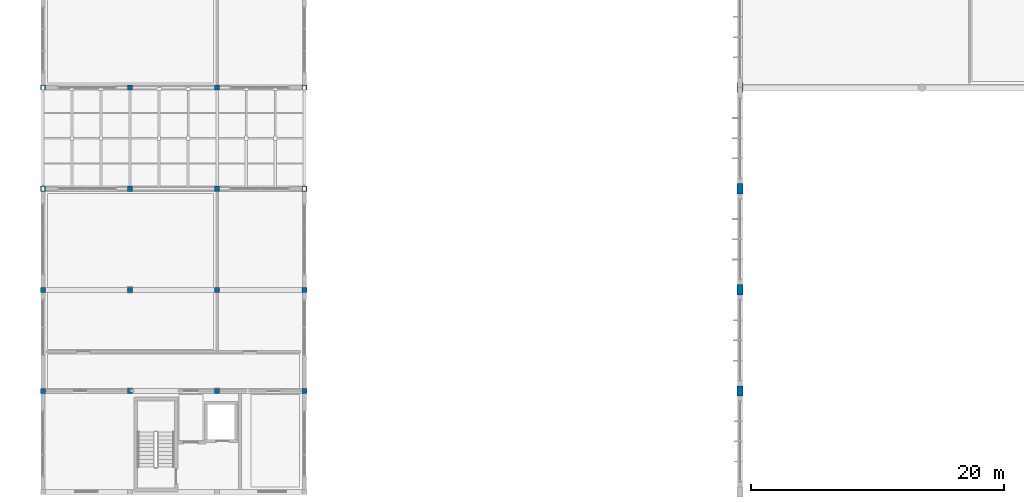
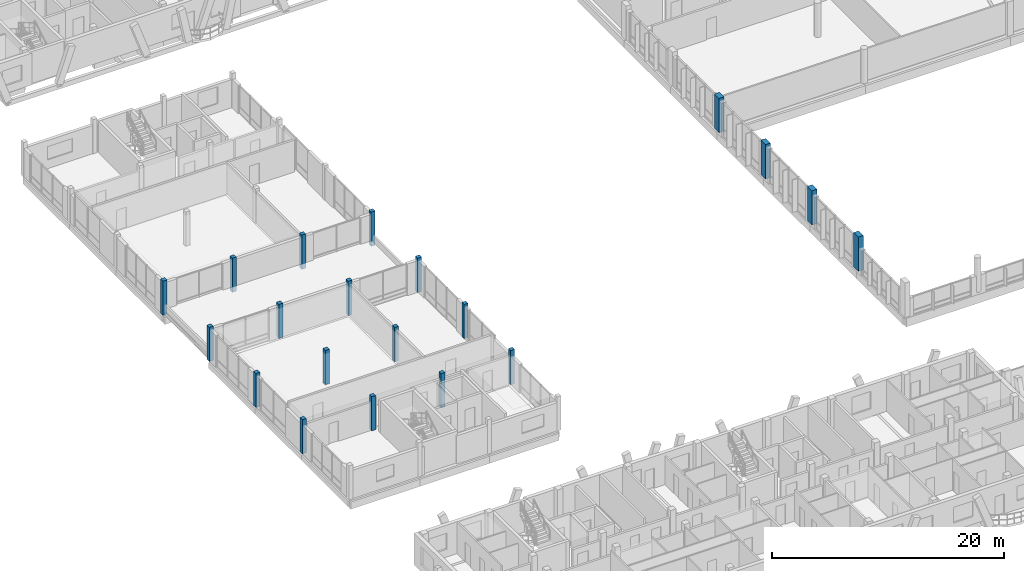
# One storey, part 3 of 189: 20 columns.
"""IFC4 building model written with IfcOpenShell, lengths in metres."""

from ifc_helpers import new_model, si_unit, direction, frame, origin, origin_2d, place, context, subcontext, project, spatial, rectangle, extrude, material, material_profile, profile_set, type_object, element, save


model = new_model("IFC4")

# Units and contexts
model_context = context("Model", 3, precision=1e-05, world=origin(), true_north=direction((0.0, 1.0)))
body_context = subcontext(model_context, "Body", "Model", "MODEL_VIEW")
ifc_project = project(units=[si_unit("LENGTHUNIT", "METRE"), si_unit("AREAUNIT", "SQUARE_METRE"), si_unit("VOLUMEUNIT", "CUBIC_METRE"), si_unit("PLANEANGLEUNIT", "RADIAN"), si_unit("MASSUNIT", "GRAM", prefix="KILO")], contexts=[model_context])

# Site, building, storey
site_placement = place(None, origin())
site = spatial("IfcSite", under=ifc_project, at=site_placement, CompositionType="ELEMENT")
building_placement = place(site_placement, origin())
building = spatial("IfcBuilding", under=site, at=building_placement, Name="Zavelmont Quarter", CompositionType="ELEMENT")
storey_placement = place(building_placement, frame((0.0, 0.0, 4.39990234375)))
storey = spatial("IfcBuildingStorey", under=building, at=storey_placement, Name="L01", CompositionType="ELEMENT", Elevation=4.39990234375)

# Columns
ifc_material_1 = material(Name="Concrete C35/45", Category="concrete")
ifc_material_profile_1 = material_profile(ifc_material_1, rectangle(XDim=0.39990234375, YDim=0.39990234375, at=origin_2d()), Name="RC400X400")
ifc_profile_set_1 = profile_set([ifc_material_profile_1], Name="Concrete C35/45")
column_type_1 = type_object("IfcColumnType", Name="CL05", PredefinedType="COLUMN", material=ifc_profile_set_1)
for number, where, z_axis, x_axis, name in (
    (1, (0.0, 38.0, 0.0), (0.0, 0.0, 1.0), (1.0, 0.0, 0.0), "L01 column CL05 at 1/G"),
    (2, (0.0, 46.0, 0.0), (0.0, 0.0, 1.0), (1.0, 0.0, 0.0), "L01 column CL05 at 1/H"),
    (3, (0.0, 54.0, 0.0), (0.0, 0.0, 1.0), (1.0, 0.0, 0.0), "L01 column CL05 at 1/J"),
    (4, (0.0, 62.0, 0.0), (0.0, 0.0, 1.0), (1.0, 0.0, 0.0), "L01 column CL05 at 1/K"),
    (5, (6.89990234375, 38.0, 0.0), (0.0, 0.0, 1.0), (1.0, 0.0, 0.0), "L01 column CL05 at 2/G"),
    (6, (6.89990234375, 46.0, 0.0), (0.0, 0.0, 1.0), (1.0, 0.0, 0.0), "L01 column CL05 at 2/H"),
    (7, (6.89990234375, 54.0, 0.0), (0.0, 0.0, 1.0), (1.0, 0.0, 0.0), "L01 column CL05 at 2/J"),
    (8, (6.89990234375, 62.0, 0.0), (0.0, 0.0, 1.0), (1.0, 0.0, 0.0), "L01 column CL05 at 2/K"),
    (9, (13.800048828125, 38.0, 0.0), (0.0, 0.0, 1.0), (1.0, 0.0, 0.0), "L01 column CL05 at 3/G"),
    (10, (13.800048828125, 46.0, 0.0), (0.0, 0.0, 1.0), (1.0, 0.0, 0.0), "L01 column CL05 at 3/H"),
    (11, (13.800048828125, 54.0, 0.0), (0.0, 0.0, 1.0), (1.0, 0.0, 0.0), "L01 column CL05 at 3/J"),
    (12, (13.800048828125, 62.0, 0.0), (0.0, 0.0, 1.0), (1.0, 0.0, 0.0), "L01 column CL05 at 3/K"),
    (13, (20.699951171875, 38.0, 0.0), (0.0, 0.0, 1.0), (1.0, 0.0, 0.0), "L01 column CL05 at 4/G"),
    (14, (20.699951171875, 46.0, 0.0), (0.0, 0.0, 1.0), (1.0, 0.0, 0.0), "L01 column CL05 at 4/H"),
    (15, (20.699951171875, 54.0, 0.0), (0.0, 0.0, 1.0), (1.0, 0.0, 0.0), "L01 column CL05 at 4/J"),
    (16, (20.699951171875, 62.0, 0.0), (0.0, 0.0, 1.0), (1.0, 0.0, 0.0), "L01 column CL05 at 4/K"),
):
    element("IfcColumn", number, at=place(storey_placement, frame(where, z_axis=z_axis, x_axis=x_axis)), inside=storey, type_object=column_type_1, Name=name, PredefinedType="COLUMN", context=body_context, shape_type="SweptSolid", body=[
        extrude(rectangle(XDim=0.39990234375, YDim=0.39990234375, at=origin_2d()), origin(), (0.0, 0.0, 1.0), 3.60009765625),
    ])
ifc_material_2 = material(Name="Concrete C40/50", Category="concrete")
ifc_material_profile_2 = material_profile(ifc_material_2, rectangle(XDim=0.5, YDim=0.800048828125, at=origin_2d()), Name="RC500X800")
ifc_profile_set_2 = profile_set([ifc_material_profile_2], Name="Concrete C40/50")
column_type_2 = type_object("IfcColumnType", Name="CL07", PredefinedType="COLUMN", material=ifc_profile_set_2)
for number, where, z_axis, x_axis, name in (
    (17, (55.199951171875, 38.0, 0.0), (0.0, 0.0, 1.0), (1.0, 0.0, 0.0), "L01 column CL07 at 9/G"),
    (18, (55.199951171875, 46.0, 0.0), (0.0, 0.0, 1.0), (1.0, 0.0, 0.0), "L01 column CL07 at 9/H"),
    (19, (55.199951171875, 54.0, 0.0), (0.0, 0.0, 1.0), (1.0, 0.0, 0.0), "L01 column CL07 at 9/J"),
    (20, (55.199951171875, 62.0, 0.0), (0.0, 0.0, 1.0), (1.0, 0.0, 0.0), "L01 column CL07 at 9/K"),
):
    element("IfcColumn", number, at=place(storey_placement, frame(where, z_axis=z_axis, x_axis=x_axis)), inside=storey, type_object=column_type_2, Name=name, PredefinedType="COLUMN", context=body_context, shape_type="SweptSolid", body=[
        extrude(rectangle(XDim=0.5, YDim=0.800048828125, at=origin_2d()), origin(), (0.0, 0.0, 1.0), 3.60009765625),
    ])

save(model, "model.ifc")
